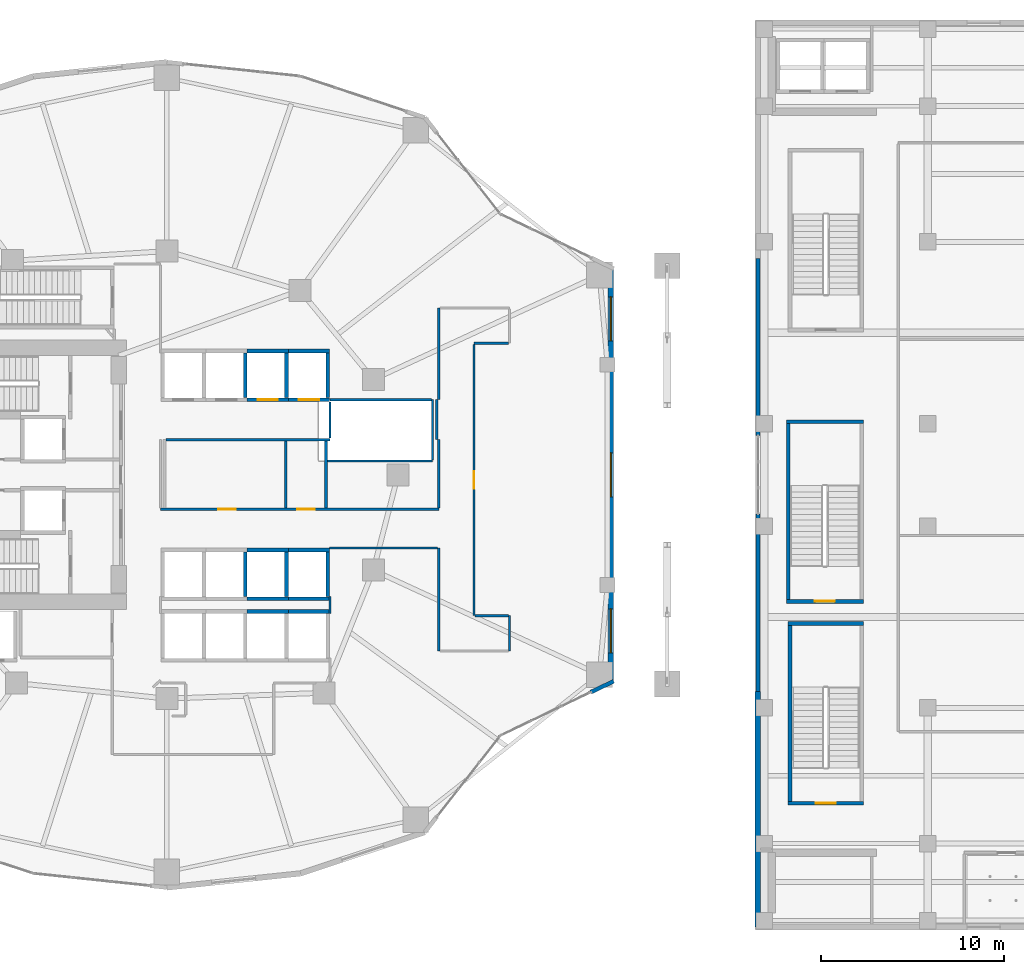
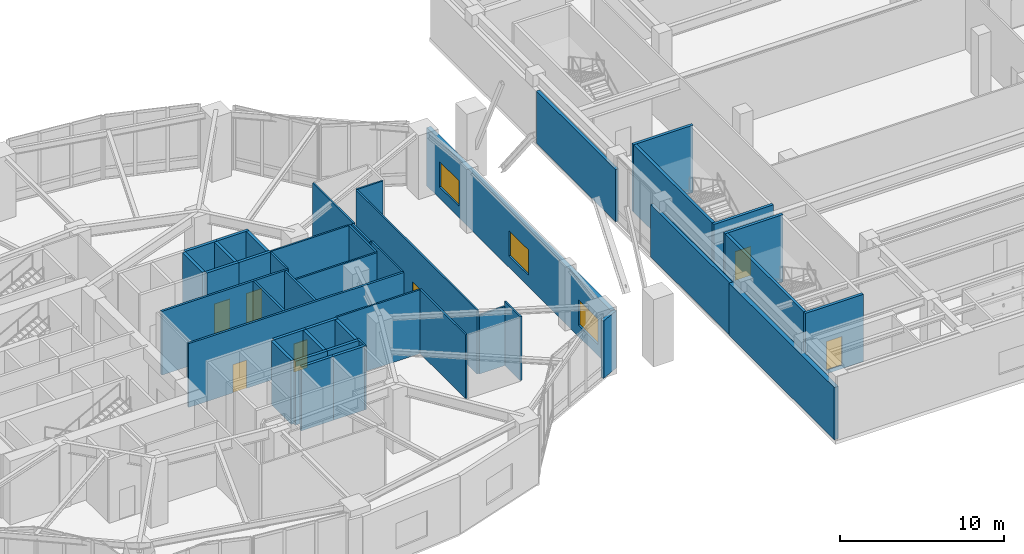
# One storey, part 16 of 24: 45 walls, 7 doors, 3 windows, 10 openings.
"""IFC4 building model written with IfcOpenShell, lengths in metres."""

from ifc_helpers import new_model, si_unit, direction, frame, frame_2d, origin, place, context, subcontext, project, spatial, rectangle, extrude, material, layer, layer_set, type_object, element, fill, save


model = new_model("IFC4")

# Units and contexts
model_context = context("Model", 3, precision=1e-05, world=origin(), true_north=direction((0.0, 1.0)))
body_context = subcontext(model_context, "Body", "Model", "MODEL_VIEW")
ifc_project = project(units=[si_unit("LENGTHUNIT", "METRE"), si_unit("AREAUNIT", "SQUARE_METRE"), si_unit("VOLUMEUNIT", "CUBIC_METRE"), si_unit("PLANEANGLEUNIT", "RADIAN"), si_unit("MASSUNIT", "GRAM", prefix="KILO")], contexts=[model_context])

# Site, building, storey
site_placement = place(None, origin())
site = spatial("IfcSite", under=ifc_project, at=site_placement, CompositionType="ELEMENT")
building_placement = place(site_placement, origin())
building = spatial("IfcBuilding", under=site, at=building_placement, Name="Kolvaren Gate Tower and Convention Centre", CompositionType="ELEMENT")
storey_placement = place(building_placement, frame((0.0, 0.0, 10.0)))
storey = spatial("IfcBuildingStorey", under=building, at=storey_placement, Name="L02", CompositionType="ELEMENT", Elevation=10.0)

# Walls
ifc_material_1 = material(Name="Fire-Rated Acoustic Gypsum Stud Partition", Category="gypsum")
ifc_layer_1 = layer(ifc_material_1, 0.1201171875)
ifc_layer_set_1 = layer_set([ifc_layer_1], Name="Fire-Rated Acoustic Gypsum Stud Partition")
wall_type_1 = type_object("IfcWallType", Name="ARCH-WL-PART-120", PredefinedType="PARTITIONING", material=ifc_layer_set_1)
wall_1_placement = place(storey_placement, frame((39.02001953125, 19.43994140625, 0.0), z_axis=(0.0, 0.0, 1.0), x_axis=(0.0, 1.0, 0.0)))
element("IfcWall", 1, at=wall_1_placement, inside=storey, type_object=wall_type_1, Name="Interior Partition WL-L02-INT-026 (2)", PredefinedType="PARTITIONING", context=body_context, shape_type="SweptSolid", body=[
    extrude(rectangle(XDim=0.920166015625, YDim=0.1201171875, at=frame_2d((0.4599609375, 0.0))), origin(), (0.0, 0.0, 1.0), 4.760009765625),
])
wall_2_placement = place(storey_placement, frame((39.02001953125, 28.9970703125, 0.0), z_axis=(0.0, 0.0, 1.0), x_axis=(0.0, 1.0, 0.0)))
element("IfcWall", 2, at=wall_2_placement, inside=storey, type_object=wall_type_1, Name="Interior Partition WL-L02-INT-027", PredefinedType="PARTITIONING", context=body_context, shape_type="SweptSolid", body=[
    extrude(rectangle(XDim=1.98291015625, YDim=0.1201171875, at=frame_2d((0.991455078125, 0.0))), origin(), (0.0, 0.0, 1.0), 4.760009765625),
])
wall_3_placement = place(storey_placement, frame((44.949951171875, 17.39990234375, 0.0), z_axis=(0.0, 0.0, 1.0), x_axis=(0.0, 1.0, 0.0)))
element("IfcWall", 3, at=wall_3_placement, inside=storey, type_object=wall_type_1, Name="Interior Partition WL-L02-INT-028", PredefinedType="PARTITIONING", context=body_context, shape_type="SweptSolid", body=[
    extrude(rectangle(XDim=5.6201171875, YDim=0.1201171875, at=frame_2d((2.81005859375, 0.0))), origin(), (0.0, 0.0, 1.0), 4.760009765625),
])
wall_4_placement = place(storey_placement, frame((44.949951171875, 25.197021484375, 0.0), z_axis=(0.0, 0.0, 1.0), x_axis=(0.0, 1.0, 0.0)))
element("IfcWall", 4, at=wall_4_placement, inside=storey, type_object=wall_type_1, Name="Interior Partition WL-L02-INT-029", PredefinedType="PARTITIONING", context=body_context, shape_type="SweptSolid", body=[
    extrude(rectangle(XDim=3.722900390625, YDim=0.1201171875, at=frame_2d((1.861328125, 0.0))), origin(), (0.0, 0.0, 1.0), 4.760009765625),
])
wall_5_placement = place(storey_placement, frame((44.949951171875, 31.1201171875, 0.0), z_axis=(0.0, 0.0, 1.0), x_axis=(0.0, 1.0, 0.0)))
element("IfcWall", 5, at=wall_5_placement, inside=storey, type_object=wall_type_1, Name="Interior Partition WL-L02-INT-030", PredefinedType="PARTITIONING", context=body_context, shape_type="SweptSolid", body=[
    extrude(rectangle(XDim=4.97998046875, YDim=0.1201171875, at=frame_2d((2.489990234375, 0.0))), origin(), (0.0, 0.0, 1.0), 4.760009765625),
])
wall_6_placement = place(storey_placement, frame((44.840087890625, 28.919921875, 0.0), z_axis=(0.0, 0.0, 1.0), x_axis=(0.0, 1.0, 0.0)))
element("IfcWall", 6, at=wall_6_placement, inside=storey, type_object=wall_type_1, Name="Interior Partition WL-L02-INT-031", PredefinedType="PARTITIONING", context=body_context, shape_type="SweptSolid", body=[
    extrude(rectangle(XDim=2.2001953125, YDim=0.1201171875, at=frame_2d((1.10009765625, 0.0))), origin(), (0.0, 0.0, 1.0), 4.760009765625),
])
wall_7_placement = place(storey_placement, frame((48.800048828125, 17.39990234375, 0.0), z_axis=(0.0, 0.0, 1.0), x_axis=(0.0, 1.0, 0.0)))
element("IfcWall", 7, at=wall_7_placement, inside=storey, type_object=wall_type_1, Name="Interior Partition WL-L02-INT-033", PredefinedType="PARTITIONING", context=body_context, shape_type="SweptSolid", body=[
    extrude(rectangle(XDim=1.920166015625, YDim=0.1201171875, at=frame_2d((0.9599609375, 0.0))), origin(), (0.0, 0.0, 1.0), 4.760009765625),
])
wall_8_placement = place(storey_placement, frame((46.8701171875, 34.179931640625, 0.0), z_axis=(0.0, 0.0, 1.0), x_axis=(1.0, 0.0, 0.0)))
element("IfcWall", 8, at=wall_8_placement, inside=storey, type_object=wall_type_1, Name="Interior Partition WL-L02-INT-035", PredefinedType="PARTITIONING", context=body_context, shape_type="SweptSolid", body=[
    extrude(rectangle(XDim=1.867919921875, YDim=0.1201171875, at=frame_2d((0.93408203125, 0.0))), origin(), (0.0, 0.0, 1.0), 4.760009765625),
])

# Wall, opening, door
wall_9_placement = place(storey_placement, frame((46.8701171875, 19.320068359375, 0.0), z_axis=(0.0, 0.0, 1.0), x_axis=(0.0, 1.0, 0.0)))
wall_9 = element("IfcWall", 9, at=wall_9_placement, inside=storey, type_object=wall_type_1, Name="Interior Partition WL-L02-INT-036", PredefinedType="PARTITIONING", context=body_context, shape_type="SweptSolid", body=[
    extrude(rectangle(XDim=14.7978515625, YDim=0.1201171875, at=frame_2d((7.39892578125, 0.0))), origin(), (0.0, 0.0, 1.0), 4.760009765625),
])
opening_1_placement = place(wall_9_placement, frame((6.924072265625, 0.0, 0.0)))
opening_1 = element("IfcOpeningElement", 10, at=opening_1_placement, cuts=wall_9, Name="Opening DR-01", PredefinedType="OPENING", context=body_context, shape_type="SweptSolid", body=[
    extrude(rectangle(XDim=0.949951171875, YDim=2.10009765625, at=frame_2d((0.47509765625, 1.050048828125))), frame((0.0, 0.070068359375, 0.0), z_axis=(0.0, -1.0, 0.0), x_axis=(1.0, 0.0, 0.0)), (0.0, 0.0, 1.0), 0.14013671875),
])
ifc_material_2 = material(Name="Painted Architectural Steelwork ASTM A500 Grade C 345 MPa", Category="steel")
door_type_1 = type_object("IfcDoorType", Name="ARCH-DR-RISER-950", OperationType="SINGLE_SWING_RIGHT", PredefinedType="DOOR", material=ifc_material_2)
door_1_placement = place(opening_1_placement, origin())
door_1 = element("IfcDoor", 11, at=door_1_placement, inside=storey, type_object=door_type_1, Name="Retail Mezzanine Boutique Door", OperationType="SINGLE_SWING_LEFT", OverallHeight=2.10009765625, OverallWidth=0.949951171875, PredefinedType="DOOR", context=body_context, shape_type="SweptSolid", body=[
    extrude(rectangle(XDim=0.949951171875, YDim=2.10009765625, at=frame_2d((0.47509765625, 1.050048828125))), frame((0.0, 0.02490234375, 0.0), z_axis=(0.0, -1.0, 0.0), x_axis=(1.0, 0.0, 0.0)), (0.0, 0.0, 1.0), 0.050048828125),
])
fill(opening_1, door_1)

# Walls
wall_10_placement = place(storey_placement, frame((46.931884765625, 19.320068359375, 0.0), z_axis=(0.0, 0.0, 1.0), x_axis=(1.0, 0.0, 0.0)))
element("IfcWall", 12, at=wall_10_placement, inside=storey, type_object=wall_type_1, Name="Interior Partition WL-L02-INT-037", PredefinedType="PARTITIONING", context=body_context, shape_type="SweptSolid", body=[
    extrude(rectangle(XDim=1.80615234375, YDim=0.1201171875, at=frame_2d((0.903076171875, 0.0))), origin(), (0.0, 0.0, 1.0), 4.39501953125),
])
wall_11_placement = place(storey_placement, frame((39.0, 23.02001953125, 0.0), z_axis=(0.0, 0.0, 1.0), x_axis=(1.0, 0.0, 0.0)))
element("IfcWall", 13, at=wall_11_placement, inside=storey, type_object=wall_type_1, Name="Interior Partition WL-L02-INT-039", PredefinedType="PARTITIONING", context=body_context, shape_type="SweptSolid", body=[
    extrude(rectangle(XDim=5.887939453125, YDim=0.1201171875, at=frame_2d((2.94384765625, 0.0))), origin(), (0.0, 0.0, 1.0), 4.760009765625),
])
wall_12_placement = place(storey_placement, frame((38.876953125, 27.75, 0.0), z_axis=(0.0, 0.0, 1.0), x_axis=(1.0, 0.0, 0.0)))
element("IfcWall", 14, at=wall_12_placement, inside=storey, type_object=wall_type_1, Name="Interior Partition WL-L02-INT-043", PredefinedType="PARTITIONING", context=body_context, shape_type="SweptSolid", body=[
    extrude(rectangle(XDim=5.72314453125, YDim=0.1201171875, at=frame_2d((2.861572265625, 0.0))), origin(), (0.0, 0.0, 1.0), 4.760009765625),
])
wall_13_placement = place(storey_placement, frame((44.60009765625, 27.81201171875, 0.0), z_axis=(0.0, 0.0, 1.0), x_axis=(0.0, 1.0, 0.0)))
element("IfcWall", 15, at=wall_13_placement, inside=storey, type_object=wall_type_1, Name="Interior Partition WL-L02-INT-044", PredefinedType="PARTITIONING", context=body_context, shape_type="SweptSolid", body=[
    extrude(rectangle(XDim=3.2880859375, YDim=0.1201171875, at=frame_2d((1.64404296875, 0.0))), origin(), (0.0, 0.0, 1.0), 4.760009765625),
])
wall_14_placement = place(storey_placement, frame((39.02001953125, 31.10009765625, 0.0), z_axis=(0.0, 0.0, 1.0), x_axis=(1.0, 0.0, 0.0)))
element("IfcWall", 16, at=wall_14_placement, inside=storey, type_object=wall_type_1, Name="Interior Partition WL-L02-INT-045", PredefinedType="PARTITIONING", context=body_context, shape_type="SweptSolid", body=[
    extrude(rectangle(XDim=5.51806640625, YDim=0.1201171875, at=frame_2d((2.759033203125, 0.0))), origin(), (0.0, 0.0, 1.0), 4.760009765625),
])
ifc_material_3 = material(Name="Bogota Sabana Bush-Hammered Sandstone Cladding", Category="masonry")
ifc_layer_2 = layer(ifc_material_3, 0.219970703125)
ifc_layer_set_2 = layer_set([ifc_layer_2], Name="Bogota Sabana Bush-Hammered Sandstone Cladding")
wall_type_2 = type_object("IfcWallType", Name="ARCH-WL-PIER-220", PredefinedType="SOLIDWALL", material=ifc_layer_set_2)
wall_15_placement = place(storey_placement, frame((53.23681640625, 15.151611328125, 0.0), z_axis=(0.0, 0.0, 1.0), x_axis=(0.901316119915, 0.433161923512, 0.0)))
element("IfcWall", 17, at=wall_15_placement, inside=storey, type_object=wall_type_2, Name="Tower L02 Unitised Curtain Wall CW-POD-GLZ Bay 21 Right Column Pier Wrap", PredefinedType="SOLIDWALL", context=body_context, shape_type="SweptSolid", body=[
    extrude(rectangle(XDim=1.38134765625, YDim=0.219970703125, at=frame_2d((0.690673828125, 0.0))), origin(), (0.0, 0.0, 1.0), 4.282958984375),
])
for number, where, z_axis, x_axis, name in (
    (18, (62.35009765625, 15.199951171875, 0.0), (0.0, 0.0, 1.0), (0.0, 1.0, 0.0), "Convention L02 W Foyer Curtain Wall CW-CC-L02-W Left Column Pier Wrap"),
    (19, (62.35009765625, 29.139892578125, 0.0), (0.0, 0.0, 1.0), (0.0, 1.0, 0.0), "Convention L02 W Foyer Curtain Wall CW-CC-L02-W Right Column Pier Wrap"),
):
    element("IfcWall", number, at=place(storey_placement, frame(where, z_axis=z_axis, x_axis=x_axis)), inside=storey, type_object=wall_type_2, Name=name, PredefinedType="SOLIDWALL", context=body_context, shape_type="SweptSolid", body=[
        extrude(rectangle(XDim=9.66015625, YDim=0.219970703125, at=frame_2d((4.830078125, 0.0))), origin(), (0.0, 0.0, 1.0), 3.89697265625),
    ])
ifc_material_4 = material(Name="Autoclaved Aerated Masonry Blockwork Class 4 (4.0 MPa)", Category="masonry")
ifc_layer_3 = layer(ifc_material_4, 0.199951171875)
ifc_layer_set_3 = layer_set([ifc_layer_3], Name="Autoclaved Aerated Masonry Blockwork Class 4 (4.0 MPa)")
wall_type_3 = type_object("IfcWallType", Name="ARCH-WL-SHAFT-200", PredefinedType="SOLIDWALL", material=ifc_layer_set_3)
wall_16_placement = place(storey_placement, frame((34.39990234375, 31.2099609375, 0.0), z_axis=(0.0, 0.0, 1.0), x_axis=(0.0, 1.0, 0.0)))
element("IfcWall", 20, at=wall_16_placement, inside=storey, type_object=wall_type_3, Name="Elevator PL-02 L02 Fire Shaft Wall E", PredefinedType="SOLIDWALL", context=body_context, shape_type="SweptSolid", body=[
    extrude(rectangle(XDim=2.429931640625, YDim=0.199951171875, at=frame_2d((1.21484375, 0.0))), origin(), (0.0, 0.0, 1.0), 4.760009765625),
])
wall_17_placement = place(storey_placement, frame((34.5, 33.75, 0.0), z_axis=(0.0, 0.0, 1.0), x_axis=(1.0, 0.0, 0.0)))
element("IfcWall", 21, at=wall_17_placement, inside=storey, type_object=wall_type_3, Name="Elevator PL-03 L02 Fire Shaft Wall N", PredefinedType="SOLIDWALL", context=body_context, shape_type="SweptSolid", body=[
    extrude(rectangle(XDim=2.25, YDim=0.199951171875, at=frame_2d((1.125, 0.0))), origin(), (0.0, 0.0, 1.0), 4.760009765625),
])

# Wall, opening, door
wall_18_placement = place(storey_placement, frame((34.5, 31.10009765625, 0.0), z_axis=(0.0, 0.0, 1.0), x_axis=(1.0, 0.0, 0.0)))
wall_18 = element("IfcWall", 22, at=wall_18_placement, inside=storey, type_object=wall_type_3, Name="Elevator PL-03 L02 Fire Shaft Wall S", PredefinedType="SOLIDWALL", context=body_context, shape_type="SweptSolid", body=[
    extrude(rectangle(XDim=2.25, YDim=0.199951171875, at=frame_2d((1.125, 0.0))), origin(), (0.0, 0.0, 1.0), 4.760009765625),
])
opening_2_placement = place(wall_18_placement, frame((0.574951171875, 0.0, 0.0)))
opening_2 = element("IfcOpeningElement", 23, at=opening_2_placement, cuts=wall_18, Name="Opening LD", PredefinedType="OPENING", context=body_context, shape_type="SweptSolid", body=[
    extrude(rectangle(XDim=1.10009765625, YDim=2.199951171875, at=frame_2d((0.550048828125, 1.10009765625))), frame((0.0, 0.10986328125, 0.0), z_axis=(0.0, -1.0, 0.0), x_axis=(1.0, 0.0, 0.0)), (0.0, 0.0, 1.0), 0.219970703125),
])
ifc_material_5 = material(Name="Brushed Stainless Steel Grade 316L", Category="steel")
door_type_2 = type_object("IfcDoorType", Name="ARCH-DR-LIFT-1100", OperationType="SLIDING_TO_LEFT", PredefinedType="DOOR", material=ifc_material_5)
door_2_placement = place(opening_2_placement, origin())
door_2 = element("IfcDoor", 24, at=door_2_placement, inside=storey, type_object=door_type_2, Name="Elevator PL-03 L02 Sliding Landing Door", OperationType="SLIDING_TO_LEFT", OverallHeight=2.199951171875, OverallWidth=1.10009765625, PredefinedType="DOOR", context=body_context, shape_type="SweptSolid", body=[
    extrude(rectangle(XDim=1.10009765625, YDim=2.199951171875, at=frame_2d((0.550048828125, 1.10009765625))), frame((0.0, 0.02490234375, 0.0), z_axis=(0.0, -1.0, 0.0), x_axis=(1.0, 0.0, 0.0)), (0.0, 0.0, 1.0), 0.050048828125),
])
fill(opening_2, door_2)

# Walls
wall_19_placement = place(storey_placement, frame((36.64990234375, 31.2099609375, 0.0), z_axis=(0.0, 0.0, 1.0), x_axis=(0.0, 1.0, 0.0)))
element("IfcWall", 25, at=wall_19_placement, inside=storey, type_object=wall_type_3, Name="Elevator PL-03 L02 Fire Shaft Wall E", PredefinedType="SOLIDWALL", context=body_context, shape_type="SweptSolid", body=[
    extrude(rectangle(XDim=2.429931640625, YDim=0.199951171875, at=frame_2d((1.21484375, 0.0))), origin(), (0.0, 0.0, 1.0), 4.760009765625),
])
wall_20_placement = place(storey_placement, frame((36.75, 33.75, 0.0), z_axis=(0.0, 0.0, 1.0), x_axis=(1.0, 0.0, 0.0)))
element("IfcWall", 26, at=wall_20_placement, inside=storey, type_object=wall_type_3, Name="Elevator PL-04 L02 Fire Shaft Wall N", PredefinedType="SOLIDWALL", context=body_context, shape_type="SweptSolid", body=[
    extrude(rectangle(XDim=2.25, YDim=0.199951171875, at=frame_2d((1.125, 0.0))), origin(), (0.0, 0.0, 1.0), 4.760009765625),
])

# Wall, opening, door
wall_21_placement = place(storey_placement, frame((36.75, 31.10009765625, 0.0), z_axis=(0.0, 0.0, 1.0), x_axis=(1.0, 0.0, 0.0)))
wall_21 = element("IfcWall", 27, at=wall_21_placement, inside=storey, type_object=wall_type_3, Name="Elevator PL-04 L02 Fire Shaft Wall S", PredefinedType="SOLIDWALL", context=body_context, shape_type="SweptSolid", body=[
    extrude(rectangle(XDim=2.25, YDim=0.199951171875, at=frame_2d((1.125, 0.0))), origin(), (0.0, 0.0, 1.0), 4.760009765625),
])
opening_3_placement = place(wall_21_placement, frame((0.574951171875, 0.0, 0.0)))
opening_3 = element("IfcOpeningElement", 28, at=opening_3_placement, cuts=wall_21, Name="Opening LD", PredefinedType="OPENING", context=body_context, shape_type="SweptSolid", body=[
    extrude(rectangle(XDim=1.10009765625, YDim=2.199951171875, at=frame_2d((0.550048828125, 1.10009765625))), frame((0.0, 0.10986328125, 0.0), z_axis=(0.0, -1.0, 0.0), x_axis=(1.0, 0.0, 0.0)), (0.0, 0.0, 1.0), 0.219970703125),
])
door_3_placement = place(opening_3_placement, origin())
door_3 = element("IfcDoor", 29, at=door_3_placement, inside=storey, type_object=door_type_2, Name="Elevator PL-04 L02 Sliding Landing Door", OperationType="SLIDING_TO_LEFT", OverallHeight=2.199951171875, OverallWidth=1.10009765625, PredefinedType="DOOR", context=body_context, shape_type="SweptSolid", body=[
    extrude(rectangle(XDim=1.10009765625, YDim=2.199951171875, at=frame_2d((0.550048828125, 1.10009765625))), frame((0.0, 0.02490234375, 0.0), z_axis=(0.0, -1.0, 0.0), x_axis=(1.0, 0.0, 0.0)), (0.0, 0.0, 1.0), 0.050048828125),
])
fill(opening_3, door_3)

# Walls
wall_22_placement = place(storey_placement, frame((38.89990234375, 31.2099609375, 0.0), z_axis=(0.0, 0.0, 1.0), x_axis=(0.0, 1.0, 0.0)))
element("IfcWall", 30, at=wall_22_placement, inside=storey, type_object=wall_type_3, Name="Elevator PL-04 L02 Fire Shaft Wall E", PredefinedType="SOLIDWALL", context=body_context, shape_type="SweptSolid", body=[
    extrude(rectangle(XDim=2.429931640625, YDim=0.199951171875, at=frame_2d((1.21484375, 0.0))), origin(), (0.0, 0.0, 1.0), 4.760009765625),
])
for number, where, z_axis, x_axis, name in (
    (31, (34.5, 19.550048828125, 0.0), (0.0, 0.0, 1.0), (1.0, 0.0, 0.0), "Elevator PL-07 L02 Fire Shaft Wall N"),
    (32, (36.75, 19.550048828125, 0.0), (0.0, 0.0, 1.0), (1.0, 0.0, 0.0), "Elevator PL-08 L02 Fire Shaft Wall N"),
):
    element("IfcWall", number, at=place(storey_placement, frame(where, z_axis=z_axis, x_axis=x_axis)), inside=storey, type_object=wall_type_3, Name=name, PredefinedType="SOLIDWALL", context=body_context, shape_type="SweptSolid", body=[
        extrude(rectangle(XDim=2.25, YDim=0.199951171875, at=frame_2d((1.125, 0.0))), origin(), (0.0, 0.0, 1.0), 4.760009765625),
    ])
wall_23_placement = place(storey_placement, frame((34.39990234375, 20.360107421875, 0.0), z_axis=(0.0, 0.0, 1.0), x_axis=(0.0, 1.0, 0.0)))
element("IfcWall", 33, at=wall_23_placement, inside=storey, type_object=wall_type_3, Name="Elevator PL-10 L02 Fire Shaft Wall E", PredefinedType="SOLIDWALL", context=body_context, shape_type="SweptSolid", body=[
    extrude(rectangle(XDim=2.429931640625, YDim=0.199951171875, at=frame_2d((1.21484375, 0.0))), origin(), (0.0, 0.0, 1.0), 4.760009765625),
])
for number, where, z_axis, x_axis, name in (
    (34, (34.5, 22.89990234375, 0.0), (0.0, 0.0, 1.0), (1.0, 0.0, 0.0), "Elevator PL-11 L02 Fire Shaft Wall N"),
    (35, (34.5, 20.25, 0.0), (0.0, 0.0, 1.0), (1.0, 0.0, 0.0), "Elevator PL-11 L02 Fire Shaft Wall S"),
):
    element("IfcWall", number, at=place(storey_placement, frame(where, z_axis=z_axis, x_axis=x_axis)), inside=storey, type_object=wall_type_3, Name=name, PredefinedType="SOLIDWALL", context=body_context, shape_type="SweptSolid", body=[
        extrude(rectangle(XDim=2.25, YDim=0.199951171875, at=frame_2d((1.125, 0.0))), origin(), (0.0, 0.0, 1.0), 4.760009765625),
    ])
wall_24_placement = place(storey_placement, frame((36.64990234375, 20.360107421875, 0.0), z_axis=(0.0, 0.0, 1.0), x_axis=(0.0, 1.0, 0.0)))
element("IfcWall", 36, at=wall_24_placement, inside=storey, type_object=wall_type_3, Name="Elevator PL-11 L02 Fire Shaft Wall E", PredefinedType="SOLIDWALL", context=body_context, shape_type="SweptSolid", body=[
    extrude(rectangle(XDim=2.429931640625, YDim=0.199951171875, at=frame_2d((1.21484375, 0.0))), origin(), (0.0, 0.0, 1.0), 4.760009765625),
])
for number, where, z_axis, x_axis, name in (
    (37, (36.75, 22.89990234375, 0.0), (0.0, 0.0, 1.0), (1.0, 0.0, 0.0), "Elevator PL-12 L02 Fire Shaft Wall N"),
    (38, (36.75, 20.25, 0.0), (0.0, 0.0, 1.0), (1.0, 0.0, 0.0), "Elevator PL-12 L02 Fire Shaft Wall S"),
):
    element("IfcWall", number, at=place(storey_placement, frame(where, z_axis=z_axis, x_axis=x_axis)), inside=storey, type_object=wall_type_3, Name=name, PredefinedType="SOLIDWALL", context=body_context, shape_type="SweptSolid", body=[
        extrude(rectangle(XDim=2.25, YDim=0.199951171875, at=frame_2d((1.125, 0.0))), origin(), (0.0, 0.0, 1.0), 4.760009765625),
    ])
wall_25_placement = place(storey_placement, frame((38.89990234375, 20.360107421875, 0.0), z_axis=(0.0, 0.0, 1.0), x_axis=(0.0, 1.0, 0.0)))
element("IfcWall", 39, at=wall_25_placement, inside=storey, type_object=wall_type_3, Name="Elevator PL-12 L02 Fire Shaft Wall E", PredefinedType="SOLIDWALL", context=body_context, shape_type="SweptSolid", body=[
    extrude(rectangle(XDim=2.429931640625, YDim=0.199951171875, at=frame_2d((1.21484375, 0.0))), origin(), (0.0, 0.0, 1.0), 4.760009765625),
])

# Wall, openings, windows
ifc_material_6 = material(Name="Piedmont Cream Honed Limestone Cladding", Category="masonry")
ifc_layer_4 = layer(ifc_material_6, 0.300048828125)
ifc_layer_set_4 = layer_set([ifc_layer_4], Name="Piedmont Cream Honed Limestone Cladding")
wall_type_4 = type_object("IfcWallType", Name="ARCH-WL-STONE-300", PredefinedType="SOLIDWALL", material=ifc_layer_set_4)
wall_26_placement = place(storey_placement, frame((54.330078125, 15.75, 0.0), z_axis=(0.0, 0.0, 1.0), x_axis=(0.0, 1.0, 0.0)))
wall_26 = element("IfcWall", 40, at=wall_26_placement, inside=storey, type_object=wall_type_4, Name="Monumental Arch Recessed Portal Wall AW-L02", PredefinedType="SOLIDWALL", context=body_context, shape_type="SweptSolid", body=[
    extrude(rectangle(XDim=22.5, YDim=0.300048828125, at=frame_2d((11.25, 0.0))), origin(), (0.0, 0.0, 1.0), 4.33203125),
])
opening_4_placement = place(wall_26_placement, frame((1.550048828125, 0.0, 0.85009765625)))
opening_4 = element("IfcOpeningElement", 41, at=opening_4_placement, cuts=wall_26, Name="Opening W-01", PredefinedType="OPENING", context=body_context, shape_type="SweptSolid", body=[
    extrude(rectangle(XDim=2.39990234375, YDim=1.89990234375, at=frame_2d((1.199951171875, 0.949951171875))), frame((0.0, 0.159912109375, 0.0), z_axis=(0.0, -1.0, 0.0), x_axis=(1.0, 0.0, 0.0)), (0.0, 0.0, 1.0), 0.320068359375),
])
opening_5_placement = place(wall_26_placement, frame((10.050048828125, 0.0, 0.85009765625)))
opening_5 = element("IfcOpeningElement", 42, at=opening_5_placement, cuts=wall_26, Name="Opening W-01", PredefinedType="OPENING", context=body_context, shape_type="SweptSolid", body=[
    extrude(rectangle(XDim=2.39990234375, YDim=1.89990234375, at=frame_2d((1.199951171875, 0.949951171875))), frame((0.0, 0.159912109375, 0.0), z_axis=(0.0, -1.0, 0.0), x_axis=(1.0, 0.0, 0.0)), (0.0, 0.0, 1.0), 0.320068359375),
])
opening_6_placement = place(wall_26_placement, frame((18.550048828125, 0.0, 0.85009765625)))
opening_6 = element("IfcOpeningElement", 43, at=opening_6_placement, cuts=wall_26, Name="Opening W-01", PredefinedType="OPENING", context=body_context, shape_type="SweptSolid", body=[
    extrude(rectangle(XDim=2.39990234375, YDim=1.89990234375, at=frame_2d((1.199951171875, 0.949951171875))), frame((0.0, 0.159912109375, 0.0), z_axis=(0.0, -1.0, 0.0), x_axis=(1.0, 0.0, 0.0)), (0.0, 0.0, 1.0), 0.320068359375),
])
ifc_material_7 = material(Name="Low-E Triple Insulated Glazing Unit 44 mm", Category="glass")
window_type = type_object("IfcWindowType", Name="ARCH-WN-OFF-2400", PartitioningType="SINGLE_PANEL", PredefinedType="WINDOW", material=ifc_material_7)
window_1_placement = place(opening_4_placement, origin())
window_1 = element("IfcWindow", 44, at=window_1_placement, inside=storey, type_object=window_type, Name="Grand Arch Overlook Window AW-L02-1", OverallHeight=1.89990234375, OverallWidth=2.39990234375, PartitioningType="SINGLE_PANEL", PredefinedType="WINDOW", context=body_context, shape_type="SweptSolid", body=[
    extrude(rectangle(XDim=2.39990234375, YDim=1.89990234375, at=frame_2d((1.199951171875, 0.949951171875))), frame((0.0, 0.030029296875, 0.0), z_axis=(0.0, -1.0, 0.0), x_axis=(1.0, 0.0, 0.0)), (0.0, 0.0, 1.0), 0.06005859375),
])
fill(opening_4, window_1)
window_2_placement = place(opening_5_placement, origin())
window_2 = element("IfcWindow", 45, at=window_2_placement, inside=storey, type_object=window_type, Name="Grand Arch Overlook Window AW-L02-2", OverallHeight=1.89990234375, OverallWidth=2.39990234375, PartitioningType="SINGLE_PANEL", PredefinedType="WINDOW", context=body_context, shape_type="SweptSolid", body=[
    extrude(rectangle(XDim=2.39990234375, YDim=1.89990234375, at=frame_2d((1.199951171875, 0.949951171875))), frame((0.0, 0.030029296875, 0.0), z_axis=(0.0, -1.0, 0.0), x_axis=(1.0, 0.0, 0.0)), (0.0, 0.0, 1.0), 0.06005859375),
])
fill(opening_5, window_2)
window_3_placement = place(opening_6_placement, origin())
window_3 = element("IfcWindow", 46, at=window_3_placement, inside=storey, type_object=window_type, Name="Grand Arch Overlook Window AW-L02-3", OverallHeight=1.89990234375, OverallWidth=2.39990234375, PartitioningType="SINGLE_PANEL", PredefinedType="WINDOW", context=body_context, shape_type="SweptSolid", body=[
    extrude(rectangle(XDim=2.39990234375, YDim=1.89990234375, at=frame_2d((1.199951171875, 0.949951171875))), frame((0.0, 0.030029296875, 0.0), z_axis=(0.0, -1.0, 0.0), x_axis=(1.0, 0.0, 0.0)), (0.0, 0.0, 1.0), 0.06005859375),
])
fill(opening_6, window_3)

# Wall
wall_27_placement = place(storey_placement, frame((62.35009765625, 2.35009765625, 0.0), z_axis=(0.0, 0.0, 1.0), x_axis=(0.0, 1.0, 0.0)))
element("IfcWall", 47, at=wall_27_placement, inside=storey, type_object=wall_type_4, Name="Convention L02 W Stone Wing Wall South", PredefinedType="SOLIDWALL", context=body_context, shape_type="SweptSolid", body=[
    extrude(rectangle(XDim=12.849853515625, YDim=0.300048828125, at=frame_2d((6.4248046875, 0.0))), origin(), (0.0, 0.0, 1.0), 3.89697265625),
])

# Wall, openings, doors
ifc_material_8 = material(Name="Moisture-Resistant Cement-Board Acoustic Partition", Category="gypsum")
ifc_layer_5 = layer(ifc_material_8, 0.14990234375)
ifc_layer_set_5 = layer_set([ifc_layer_5], Name="Moisture-Resistant Cement-Board Acoustic Partition")
wall_type_5 = type_object("IfcWallType", Name="ARCH-WL-WET-150", PredefinedType="PARTITIONING", material=ifc_layer_set_5)
wall_28_placement = place(storey_placement, frame((29.780029296875, 25.1201171875, 0.0), z_axis=(0.0, 0.0, 1.0), x_axis=(1.0, 0.0, 0.0)))
wall_28 = element("IfcWall", 48, at=wall_28_placement, inside=storey, type_object=wall_type_5, Name="Interior Partition WL-L02-INT-012", PredefinedType="PARTITIONING", context=body_context, shape_type="SweptSolid", body=[
    extrude(rectangle(XDim=15.169921875, YDim=0.14990234375, at=frame_2d((7.5849609375, 0.0))), origin(), (0.0, 0.0, 1.0), 4.760009765625),
])
opening_7_placement = place(wall_28_placement, frame((3.139892578125, 0.0, 0.0)))
opening_7 = element("IfcOpeningElement", 49, at=opening_7_placement, cuts=wall_28, Name="Opening DR-01", PredefinedType="OPENING", context=body_context, shape_type="SweptSolid", body=[
    extrude(rectangle(XDim=0.949951171875, YDim=2.10009765625, at=frame_2d((0.47509765625, 1.050048828125))), frame((0.0, 0.0849609375, 0.0), z_axis=(0.0, -1.0, 0.0), x_axis=(1.0, 0.0, 0.0)), (0.0, 0.0, 1.0), 0.169921875),
])
opening_8_placement = place(wall_28_placement, frame((7.445068359375, 0.0, 0.0)))
opening_8 = element("IfcOpeningElement", 50, at=opening_8_placement, cuts=wall_28, Name="Opening DR-01", PredefinedType="OPENING", context=body_context, shape_type="SweptSolid", body=[
    extrude(rectangle(XDim=0.949951171875, YDim=2.10009765625, at=frame_2d((0.47509765625, 1.050048828125))), frame((0.0, 0.0849609375, 0.0), z_axis=(0.0, -1.0, 0.0), x_axis=(1.0, 0.0, 0.0)), (0.0, 0.0, 1.0), 0.169921875),
])
door_4_placement = place(opening_7_placement, origin())
door_4 = element("IfcDoor", 51, at=door_4_placement, inside=storey, type_object=door_type_1, Name="Accessible Universal Washroom Door", OperationType="SINGLE_SWING_LEFT", OverallHeight=2.10009765625, OverallWidth=0.949951171875, PredefinedType="DOOR", context=body_context, shape_type="SweptSolid", body=[
    extrude(rectangle(XDim=0.949951171875, YDim=2.10009765625, at=frame_2d((0.47509765625, 1.050048828125))), frame((0.0, 0.02490234375, 0.0), z_axis=(0.0, -1.0, 0.0), x_axis=(1.0, 0.0, 0.0)), (0.0, 0.0, 1.0), 0.050048828125),
])
fill(opening_7, door_4)
door_5_placement = place(opening_8_placement, origin())
door_5 = element("IfcDoor", 52, at=door_5_placement, inside=storey, type_object=door_type_1, Name="Floor Janitor and Supply Store Door", OperationType="SINGLE_SWING_RIGHT", OverallHeight=2.10009765625, OverallWidth=0.949951171875, PredefinedType="DOOR", context=body_context, shape_type="SweptSolid", body=[
    extrude(rectangle(XDim=0.949951171875, YDim=2.10009765625, at=frame_2d((0.47509765625, 1.050048828125))), frame((0.0, 0.02490234375, 0.0), z_axis=(0.0, -1.0, 0.0), x_axis=(1.0, 0.0, 0.0)), (0.0, 0.0, 1.0), 0.050048828125),
])
fill(opening_8, door_5)

# Walls
wall_29_placement = place(storey_placement, frame((30.076904296875, 28.919921875, 0.0), z_axis=(0.0, 0.0, 1.0), x_axis=(1.0, 0.0, 0.0)))
element("IfcWall", 53, at=wall_29_placement, inside=storey, type_object=wall_type_5, Name="Interior Partition WL-L02-INT-014", PredefinedType="PARTITIONING", context=body_context, shape_type="SweptSolid", body=[
    extrude(rectangle(XDim=8.943115234375, YDim=0.14990234375, at=frame_2d((4.4716796875, 0.0))), origin(), (0.0, 0.0, 1.0), 4.760009765625),
])
for number, where, z_axis, x_axis, name in (
    (54, (36.60009765625, 25.197021484375, 0.0), (0.0, 0.0, 1.0), (0.0, 1.0, 0.0), "Interior Partition WL-L02-INT-015"),
    (55, (38.800048828125, 25.197021484375, 0.0), (0.0, 0.0, 1.0), (0.0, 1.0, 0.0), "Interior Partition WL-L02-INT-016"),
):
    element("IfcWall", number, at=place(storey_placement, frame(where, z_axis=z_axis, x_axis=x_axis)), inside=storey, type_object=wall_type_5, Name=name, PredefinedType="PARTITIONING", context=body_context, shape_type="SweptSolid", body=[
        extrude(rectangle(XDim=3.64599609375, YDim=0.14990234375, at=frame_2d((1.822998046875, 0.0))), origin(), (0.0, 0.0, 1.0), 4.760009765625),
    ])

# Wall, opening, door
ifc_material_9 = material(Name="Concrete C50/60", Category="concrete")
ifc_layer_6 = layer(ifc_material_9, 0.199951171875)
ifc_layer_set_6 = layer_set([ifc_layer_6], Name="Concrete C50/60")
wall_type_6 = type_object("IfcWallType", Name="STR-WL-SHAFT-200", PredefinedType="SHEAR", material=ifc_layer_set_6)
wall_30_placement = place(storey_placement, frame((64.0, 9.10009765625, -0.260009765625), z_axis=(0.0, 0.0, 1.0), x_axis=(1.0, 0.0, 0.0)))
wall_30 = element("IfcWall", 56, at=wall_30_placement, inside=storey, type_object=wall_type_6, Name="Convention SW Exit Stair ST-C2 L02 Structural Shear Enclosure Wall NEAR", PredefinedType="SHEAR", context=body_context, shape_type="SweptSolid", body=[
    extrude(rectangle(XDim=4.10009765625, YDim=0.199951171875, at=frame_2d((2.050048828125, 0.0))), origin(), (0.0, 0.0, 1.0), 5.02001953125),
])
opening_9_placement = place(wall_30_placement, frame((1.5, 0.0, 0.260009765625)))
opening_9 = element("IfcOpeningElement", 57, at=opening_9_placement, cuts=wall_30, Name="Opening DS-01", PredefinedType="OPENING", context=body_context, shape_type="SweptSolid", body=[
    extrude(rectangle(XDim=1.10009765625, YDim=2.14990234375, at=frame_2d((0.550048828125, 1.074951171875))), frame((0.0, 0.10986328125, 0.0), z_axis=(0.0, -1.0, 0.0), x_axis=(1.0, 0.0, 0.0)), (0.0, 0.0, 1.0), 0.219970703125),
])
door_type_3 = type_object("IfcDoorType", Name="ARCH-DR-STAIR-1100", OperationType="SINGLE_SWING_LEFT", PredefinedType="DOOR", material=ifc_material_2)
door_6_placement = place(opening_9_placement, origin())
door_6 = element("IfcDoor", 58, at=door_6_placement, inside=storey, type_object=door_type_3, Name="Convention SW Exit Stair ST-C2 L02 Fire Exit Stair Door", OperationType="SINGLE_SWING_RIGHT", OverallHeight=2.14990234375, OverallWidth=1.10009765625, PredefinedType="DOOR", context=body_context, shape_type="SweptSolid", body=[
    extrude(rectangle(XDim=1.10009765625, YDim=2.14990234375, at=frame_2d((0.550048828125, 1.074951171875))), frame((0.0, 0.02490234375, 0.0), z_axis=(0.0, -1.0, 0.0), x_axis=(1.0, 0.0, 0.0)), (0.0, 0.0, 1.0), 0.050048828125),
])
fill(opening_9, door_6)

# Walls
wall_31_placement = place(storey_placement, frame((64.0, 18.89990234375, -0.260009765625), z_axis=(0.0, 0.0, 1.0), x_axis=(1.0, 0.0, 0.0)))
element("IfcWall", 59, at=wall_31_placement, inside=storey, type_object=wall_type_6, Name="Convention SW Exit Stair ST-C2 L02 Structural Shear Enclosure Wall FAR", PredefinedType="SHEAR", context=body_context, shape_type="SweptSolid", body=[
    extrude(rectangle(XDim=4.10009765625, YDim=0.199951171875, at=frame_2d((2.050048828125, 0.0))), origin(), (0.0, 0.0, 1.0), 5.02001953125),
])
wall_32_placement = place(storey_placement, frame((64.10009765625, 9.201904296875, -0.260009765625), z_axis=(0.0, 0.0, 1.0), x_axis=(0.0, 1.0, 0.0)))
element("IfcWall", 60, at=wall_32_placement, inside=storey, type_object=wall_type_6, Name="Convention SW Exit Stair ST-C2 L02 Structural Shear Enclosure Wall WEST", PredefinedType="SHEAR", context=body_context, shape_type="SweptSolid", body=[
    extrude(rectangle(XDim=9.59619140625, YDim=0.199951171875, at=frame_2d((4.798095703125, 0.0))), origin(), (0.0, 0.0, 1.0), 5.02001953125),
])

# Wall, opening, door
wall_33_placement = place(storey_placement, frame((63.89990234375, 20.10009765625, -0.260009765625), z_axis=(0.0, 0.0, 1.0), x_axis=(1.0, 0.0, 0.0)))
wall_33 = element("IfcWall", 61, at=wall_33_placement, inside=storey, type_object=wall_type_6, Name="Convention West Assembly Stair ST-C5 L02 Structural Shear Enclosure Wall NEAR", PredefinedType="SHEAR", context=body_context, shape_type="SweptSolid", body=[
    extrude(rectangle(XDim=4.2001953125, YDim=0.199951171875, at=frame_2d((2.10009765625, 0.0))), origin(), (0.0, 0.0, 1.0), 5.02001953125),
])
opening_10_placement = place(wall_33_placement, frame((1.550048828125, 0.0, 0.260009765625)))
opening_10 = element("IfcOpeningElement", 62, at=opening_10_placement, cuts=wall_33, Name="Opening DS-01", PredefinedType="OPENING", context=body_context, shape_type="SweptSolid", body=[
    extrude(rectangle(XDim=1.10009765625, YDim=2.14990234375, at=frame_2d((0.550048828125, 1.074951171875))), frame((0.0, 0.10986328125, 0.0), z_axis=(0.0, -1.0, 0.0), x_axis=(1.0, 0.0, 0.0)), (0.0, 0.0, 1.0), 0.219970703125),
])
door_7_placement = place(opening_10_placement, origin())
door_7 = element("IfcDoor", 63, at=door_7_placement, inside=storey, type_object=door_type_3, Name="Convention West Assembly Stair ST-C5 L02 Fire Exit Stair Door", OperationType="SINGLE_SWING_RIGHT", OverallHeight=2.14990234375, OverallWidth=1.10009765625, PredefinedType="DOOR", context=body_context, shape_type="SweptSolid", body=[
    extrude(rectangle(XDim=1.10009765625, YDim=2.14990234375, at=frame_2d((0.550048828125, 1.074951171875))), frame((0.0, 0.02490234375, 0.0), z_axis=(0.0, -1.0, 0.0), x_axis=(1.0, 0.0, 0.0)), (0.0, 0.0, 1.0), 0.050048828125),
])
fill(opening_10, door_7)

# Walls
wall_34_placement = place(storey_placement, frame((63.89990234375, 29.89990234375, -0.260009765625), z_axis=(0.0, 0.0, 1.0), x_axis=(1.0, 0.0, 0.0)))
element("IfcWall", 64, at=wall_34_placement, inside=storey, type_object=wall_type_6, Name="Convention West Assembly Stair ST-C5 L02 Structural Shear Enclosure Wall FAR", PredefinedType="SHEAR", context=body_context, shape_type="SweptSolid", body=[
    extrude(rectangle(XDim=4.2001953125, YDim=0.199951171875, at=frame_2d((2.10009765625, 0.0))), origin(), (0.0, 0.0, 1.0), 5.02001953125),
])
wall_35_placement = place(storey_placement, frame((64.0, 20.201904296875, -0.260009765625), z_axis=(0.0, 0.0, 1.0), x_axis=(0.0, 1.0, 0.0)))
element("IfcWall", 65, at=wall_35_placement, inside=storey, type_object=wall_type_6, Name="Convention West Assembly Stair ST-C5 L02 Structural Shear Enclosure Wall WEST", PredefinedType="SHEAR", context=body_context, shape_type="SweptSolid", body=[
    extrude(rectangle(XDim=9.59619140625, YDim=0.199951171875, at=frame_2d((4.798095703125, 0.0))), origin(), (0.0, 0.0, 1.0), 5.02001953125),
])

save(model, "model.ifc")
